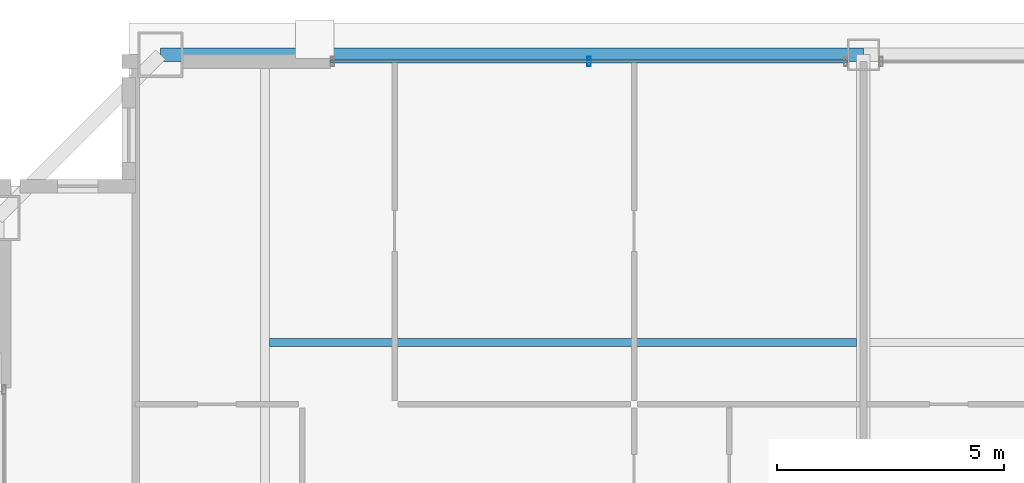
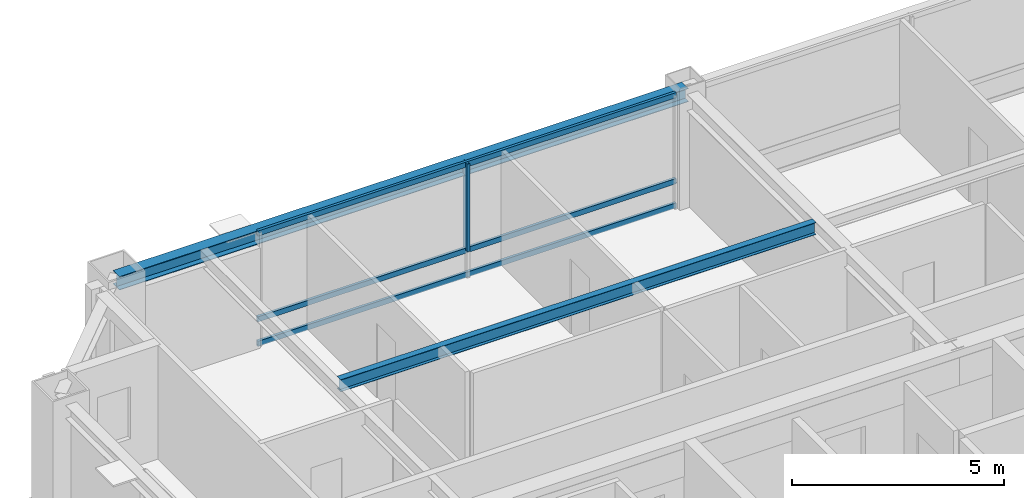
# One storey, part 17 of 35: 4 members, 2 beams, 1 element without a shape of its own.
"""IFC4 building model written with IfcOpenShell, lengths in metres."""

from ifc_helpers import new_model, si_unit, direction, frame, origin, origin_2d, place, context, subcontext, project, spatial, hollow_rectangle, i_section, extrude, source, transform, mapped, material, layer, layer_set, material_profile, profile_set, type_object, element, aggregate, save


model = new_model("IFC4")

# Units and contexts
model_context = context("Model", 3, precision=1e-05, world=origin(), true_north=direction((0.0, 1.0)))
body_context = subcontext(model_context, "Body", "Model", "MODEL_VIEW")
ifc_project = project(units=[si_unit("LENGTHUNIT", "METRE"), si_unit("AREAUNIT", "SQUARE_METRE"), si_unit("VOLUMEUNIT", "CUBIC_METRE"), si_unit("PLANEANGLEUNIT", "RADIAN"), si_unit("MASSUNIT", "GRAM", prefix="KILO"), si_unit("THERMODYNAMICTEMPERATUREUNIT", "KELVIN"), si_unit("POWERUNIT", "WATT")], contexts=[model_context])

# Site, building, storey
site_placement = place(None, origin())
site = spatial("IfcSite", under=ifc_project, at=site_placement, CompositionType="ELEMENT")
building_placement = place(site_placement, origin())
building = spatial("IfcBuilding", under=site, at=building_placement, Name="Yuzanri Waterfront Tower", CompositionType="ELEMENT")
storey_placement = place(building_placement, frame((0.0, 0.0, 318.199951171875)))
storey = spatial("IfcBuildingStorey", under=building, at=storey_placement, Name="L85", CompositionType="ELEMENT", Elevation=318.199951171875)

# Beams
ifc_material_1 = material(Name="Steel Q355B", Category="steel")
ifc_material_profile_1 = material_profile(ifc_material_1, i_section(OverallWidth=0.175048828125, OverallDepth=0.35009765625, WebThickness=0.007080078125, FlangeThickness=0.010986328125, at=origin_2d()), Name="HN 350x175x7x11")
ifc_profile_set_1 = profile_set([ifc_material_profile_1], Name="Steel Q355B")
beam_type_1 = type_object("IfcBeamType", Name="Floor Joist Q355B HN 350x175", PredefinedType="JOIST", material=ifc_profile_set_1)
shared_shape_1 = source(origin(), body_context, "Body", "SweptSolid", [
    extrude(i_section(OverallWidth=0.175048828125, OverallDepth=0.35009765625, WebThickness=0.007080078125, FlangeThickness=0.010986328125, at=origin_2d()), origin(), (0.0, 0.0, 1.0), 12.9501953125),
])
beam_1_placement = place(storey_placement, frame((23.89990234375, 38.550048828125, 3.10498046875), z_axis=(1.0, 0.0, 0.0), x_axis=(0.0, 1.0, 0.0)))
element("IfcBeam", 1, at=beam_1_placement, inside=storey, type_object=beam_type_1, Name="L85 North Bay Joist W", PredefinedType="JOIST", context=body_context, shape_type="MappedRepresentation", body=[
    mapped(shared_shape_1, transform((0.0, 0.0, 0.0), scale=1.0)),
])
ifc_material_2 = material(Name="Steel Q355B", Category="steel")
ifc_material_profile_2 = material_profile(ifc_material_2, i_section(OverallWidth=0.300048828125, OverallDepth=0.389892578125, WebThickness=0.010009765625, FlangeThickness=0.01611328125, at=origin_2d()), Name="HM 390x300x10x16")
ifc_profile_set_2 = profile_set([ifc_material_profile_2], Name="Steel Q355B")
beam_type_2 = type_object("IfcBeamType", Name="Perimeter Spandrel Q355B HM 390x300", PredefinedType="SPANDREL", material=ifc_profile_set_2)
shared_shape_2 = source(origin(), body_context, "Body", "SweptSolid", [
    extrude(i_section(OverallWidth=0.300048828125, OverallDepth=0.389892578125, WebThickness=0.010009765625, FlangeThickness=0.01611328125, at=origin_2d()), origin(), (0.0, 0.0, 1.0), 15.5),
])
beam_2_placement = place(storey_placement, frame((37.0, 44.89990234375, 3.0849609375), z_axis=(-1.0, 0.0, 0.0), x_axis=(0.0, -1.0, 0.0)))
element("IfcBeam", 2, at=beam_2_placement, inside=storey, type_object=beam_type_2, Name="L85 Perimeter Spandrel N2-N1", PredefinedType="SPANDREL", context=body_context, shape_type="MappedRepresentation", body=[
    mapped(shared_shape_2, transform((0.0, 0.0, 0.0), scale=1.0)),
])

# Curtain wall, members
ifc_material_3 = material(Name="Anodized Architectural Bronze", Category="metal")
ifc_layer = layer(ifc_material_3, 0.159912109375)
ifc_layer_set = layer_set([ifc_layer], Name="Anodized Architectural Bronze")
curtain_wall_type = type_object("IfcCurtainWallType", Name="Anodized Bronze High-Rise Penthouse High-Wind Unitized Curtain Wall 6900", PredefinedType="NOTDEFINED", material=ifc_layer_set)
curtain_wall_placement = place(storey_placement, origin())
curtain_wall = element("IfcCurtainWall", 3, at=curtain_wall_placement, inside=storey, type_object=curtain_wall_type, Name="L85 Curtain Wall CW-L85-NL", PredefinedType="NOTDEFINED")
ifc_material_4 = material(Name="Anodized Architectural Bronze", Category="metal")
ifc_material_profile_3 = material_profile(ifc_material_4, hollow_rectangle(XDim=0.074951171875, YDim=0.199951171875, WallThickness=0.00390625, at=origin_2d()), Name="CWM 75x200")
ifc_profile_set_3 = profile_set([ifc_material_profile_3], Name="Anodized Architectural Bronze")
member_type_1 = type_object("IfcMemberType", Name="Anodized Bronze Primary Curtain-Wall Mullion 75x200", PredefinedType="MULLION", material=ifc_profile_set_3)
shared_shape_3 = source(origin(), body_context, "Body", "SweptSolid", [
    extrude(hollow_rectangle(XDim=0.074951171875, YDim=0.199951171875, WallThickness=0.00390625, at=origin_2d()), origin(), (0.0, 0.0, 1.0), 2.52392578125),
])
member_1_placement = place(storey_placement, frame((30.949951171875, 44.75, 0.756103515625), z_axis=(0.0, 0.0, 1.0), x_axis=(1.0, 0.0, 0.0)))
member_1 = element("IfcMember", 4, at=member_1_placement, type_object=member_type_1, Name="CW-L85-NL Upper Mullion 01", PredefinedType="MULLION", context=body_context, shape_type="MappedRepresentation", body=[
    mapped(shared_shape_3, transform((0.0, 0.0, 0.0), scale=1.0)),
])
ifc_material_5 = material(Name="Anodized Architectural Bronze", Category="metal")
ifc_material_profile_4 = material_profile(ifc_material_5, hollow_rectangle(XDim=0.074951171875, YDim=0.14990234375, WallThickness=0.00390625, at=origin_2d()), Name="CWT 75x150")
ifc_profile_set_4 = profile_set([ifc_material_profile_4], Name="Anodized Architectural Bronze")
member_type_2 = type_object("IfcMemberType", Name="Anodized Bronze Primary Curtain-Wall Transom 75x150", PredefinedType="USERDEFINED", material=ifc_profile_set_4)
shared_shape_4 = source(origin(), body_context, "Body", "SweptSolid", [
    extrude(hollow_rectangle(XDim=0.074951171875, YDim=0.14990234375, WallThickness=0.00390625, at=origin_2d()), origin(), (0.0, 0.0, 1.0), 11.39990234375),
])
member_2_placement = place(storey_placement, frame((25.25, 44.75, 0.050048828125), z_axis=(1.0, 0.0, 0.0), x_axis=(0.0, 1.0, 0.0)))
member_2 = element("IfcMember", 5, at=member_2_placement, type_object=member_type_2, Name="CW-L85-NL Transom 1", ObjectType="TRANSOM", PredefinedType="USERDEFINED", context=body_context, shape_type="MappedRepresentation", body=[
    mapped(shared_shape_4, transform((0.0, 0.0, 0.0), scale=1.0)),
])
member_3_placement = place(storey_placement, frame((25.25, 44.75, 0.754150390625), z_axis=(1.0, 0.0, 0.0), x_axis=(0.0, 1.0, 0.0)))
member_3 = element("IfcMember", 6, at=member_3_placement, type_object=member_type_2, Name="CW-L85-NL Transom 2", ObjectType="TRANSOM", PredefinedType="USERDEFINED", context=body_context, shape_type="MappedRepresentation", body=[
    mapped(shared_shape_4, transform((0.0, 0.0, 0.0), scale=1.0)),
])
member_4_placement = place(storey_placement, frame((25.25, 44.75, 3.22998046875), z_axis=(1.0, 0.0, 0.0), x_axis=(0.0, 1.0, 0.0)))
member_4 = element("IfcMember", 7, at=member_4_placement, type_object=member_type_2, Name="CW-L85-NL Transom 3", ObjectType="TRANSOM", PredefinedType="USERDEFINED", context=body_context, shape_type="MappedRepresentation", body=[
    mapped(shared_shape_4, transform((0.0, 0.0, 0.0), scale=1.0)),
])
aggregate(curtain_wall, [member_1, member_2, member_3, member_4])

save(model, "model.ifc")
